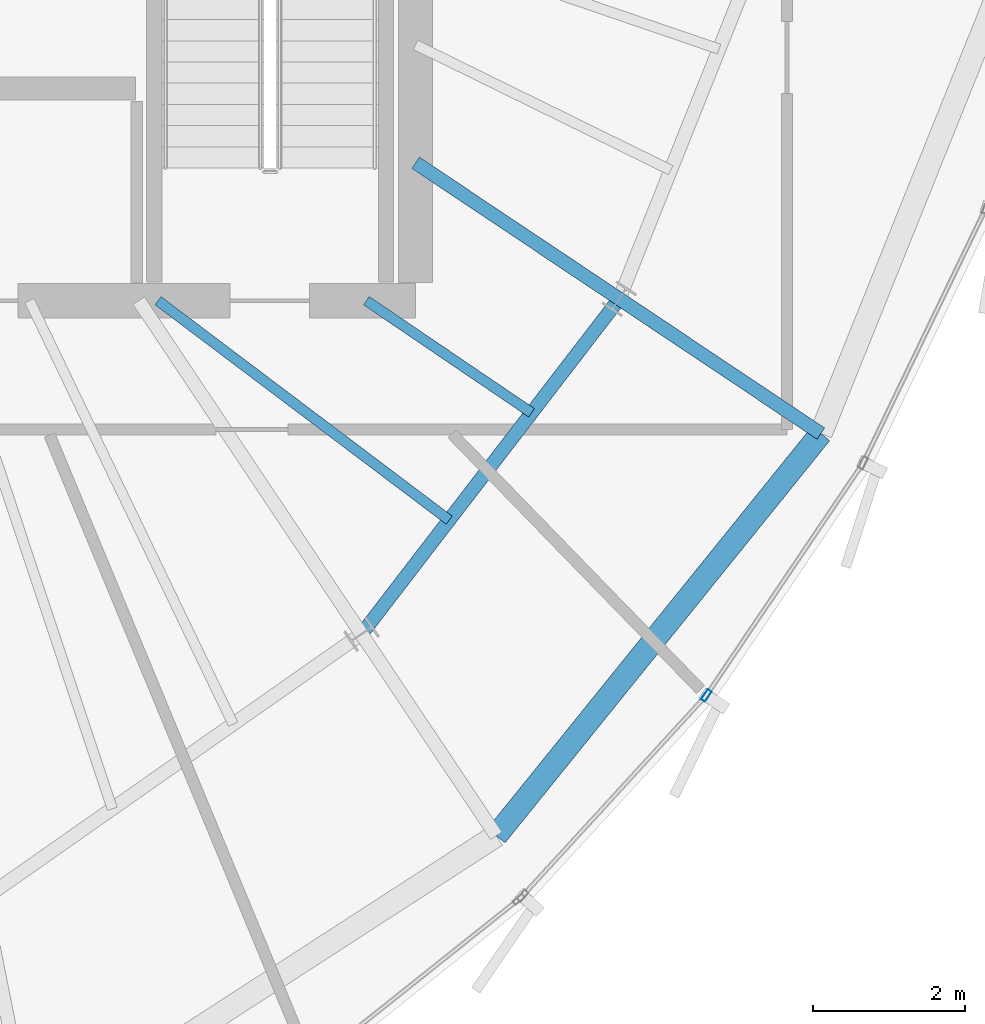
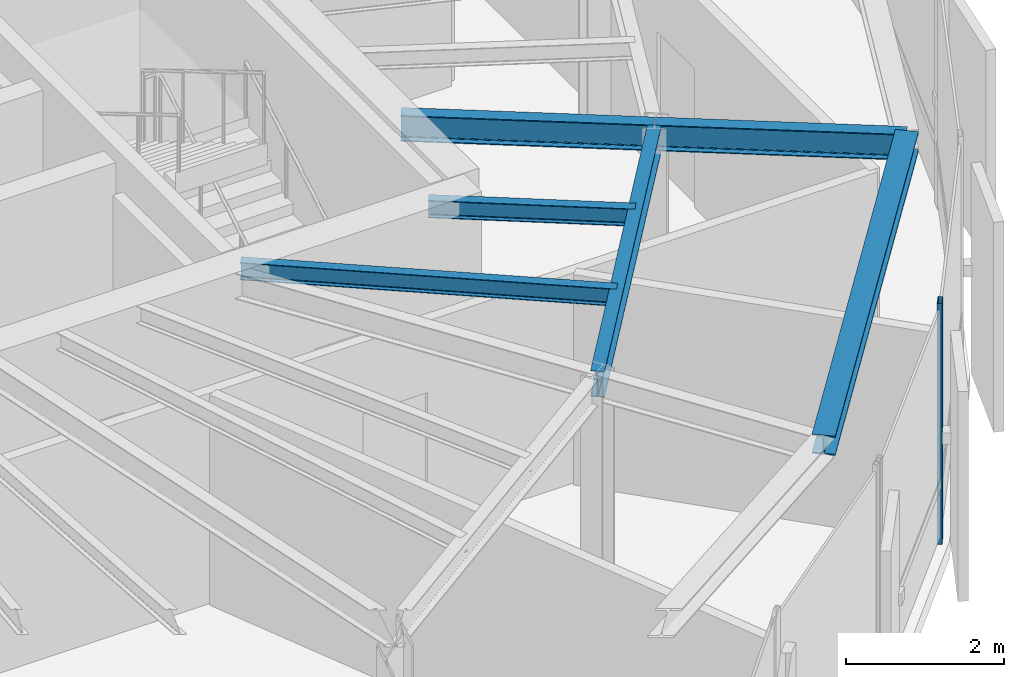
# One storey, part 9 of 27: 6 beams, 1 member, 1 element without a shape of its own.
"""IFC4 building model written with IfcOpenShell, lengths in metres."""

from ifc_helpers import new_model, si_unit, direction, frame, origin, origin_2d, place, context, subcontext, project, spatial, hollow_rectangle, i_section, extrude, source, transform, mapped, material, layer, layer_set, material_profile, profile_set, type_object, element, aggregate, save


model = new_model("IFC4")

# Units and contexts
model_context = context("Model", 3, precision=1e-05, world=origin(), true_north=direction((0.0, 1.0)))
body_context = subcontext(model_context, "Body", "Model", "MODEL_VIEW")
ifc_project = project(units=[si_unit("LENGTHUNIT", "METRE"), si_unit("AREAUNIT", "SQUARE_METRE"), si_unit("VOLUMEUNIT", "CUBIC_METRE"), si_unit("PLANEANGLEUNIT", "RADIAN"), si_unit("MASSUNIT", "GRAM", prefix="KILO"), si_unit("THERMODYNAMICTEMPERATUREUNIT", "KELVIN")], contexts=[model_context])

# Site, building, storey
site_placement = place(None, origin())
site = spatial("IfcSite", under=ifc_project, at=site_placement, CompositionType="ELEMENT")
building_placement = place(site_placement, origin())
building = spatial("IfcBuilding", under=site, at=building_placement, Name="Kethvar Cultural Tower", CompositionType="ELEMENT")
storey_placement = place(building_placement, frame((0.0, 0.0, 308.300048828125)))
storey = spatial("IfcBuildingStorey", under=building, at=storey_placement, Name="L82", CompositionType="ELEMENT", Elevation=308.300048828125)

# Beams
ifc_material_1 = material(Name="Steel S355J2", Category="steel")
ifc_material_profile_1 = material_profile(ifc_material_1, i_section(OverallWidth=0.135009765625, OverallDepth=0.27001953125, WebThickness=0.006591796875, FlangeThickness=0.01025390625, FilletRadius=0.014892578125, at=origin_2d()), Name="Steel S355J2 — IPE270")
ifc_profile_set_1 = profile_set([ifc_material_profile_1], Name="Steel S355J2 — IPE270")
beam_type_1 = type_object("IfcBeamType", Name="BM-J270", PredefinedType="JOIST", material=ifc_profile_set_1)
shared_shape_1 = source(origin(), body_context, "Body", "SweptSolid", [
    extrude(i_section(OverallWidth=0.135009765625, OverallDepth=0.27001953125, WebThickness=0.006591796875, FlangeThickness=0.01025390625, FilletRadius=0.014892578125, at=origin_2d()), origin(), (0.0, 0.0, 1.0), 4.810791015625),
])
beam_1_placement = place(storey_placement, frame((52.199951171875, 20.10009765625, 3.597900390625), z_axis=(0.798542152732, -0.601938892505, 0.0), x_axis=(0.601938892505, 0.798542152732, 0.0)))
element("IfcBeam", 1, at=beam_1_placement, inside=storey, type_object=beam_type_1, Name="L82 Composite Floor Joist J-14A", PredefinedType="JOIST", context=body_context, shape_type="MappedRepresentation", body=[
    mapped(shared_shape_1, transform((0.0, 0.0, 0.0), scale=1.0)),
])
shared_shape_2 = source(origin(), body_context, "Body", "SweptSolid", [
    extrude(i_section(OverallWidth=0.135009765625, OverallDepth=0.27001953125, WebThickness=0.006591796875, FlangeThickness=0.01025390625, FilletRadius=0.014892578125, at=origin_2d()), origin(), (0.0, 0.0, 1.0), 2.635009765625),
])
beam_2_placement = place(storey_placement, frame((54.949951171875, 20.10009765625, 3.597900390625), z_axis=(0.827446562598, -0.561544464887, 0.0), x_axis=(0.561544464887, 0.827446562598, 0.0)))
element("IfcBeam", 2, at=beam_2_placement, inside=storey, type_object=beam_type_1, Name="L82 Composite Floor Joist J-14B", PredefinedType="JOIST", context=body_context, shape_type="MappedRepresentation", body=[
    mapped(shared_shape_2, transform((0.0, 0.0, 0.0), scale=1.0)),
])
ifc_material_profile_2 = material_profile(ifc_material_1, i_section(OverallWidth=0.179931640625, OverallDepth=0.39990234375, WebThickness=0.008544921875, FlangeThickness=0.013427734375, FilletRadius=0.02099609375, at=origin_2d()), Name="Steel S355J2 — IPE400")
ifc_profile_set_2 = profile_set([ifc_material_profile_2], Name="Steel S355J2 — IPE400")
beam_type_2 = type_object("IfcBeamType", Name="BM-IPE400", PredefinedType="BEAM", material=ifc_profile_set_2)
shared_shape_3 = source(origin(), body_context, "Body", "SweptSolid", [
    extrude(i_section(OverallWidth=0.179931640625, OverallDepth=0.39990234375, WebThickness=0.008544921875, FlangeThickness=0.013427734375, FilletRadius=0.02099609375, at=origin_2d()), origin(), (0.0, 0.0, 1.0), 3.199951171875),
])
beam_3_placement = place(storey_placement, frame((58.287109375, 20.12451171875, 3.532958984375), z_axis=(0.831462943996, -0.555580212716, 0.0), x_axis=(0.555580212716, 0.831462943996, 0.0)))
element("IfcBeam", 3, at=beam_3_placement, inside=storey, type_object=beam_type_2, Name="L82 Perimeter Cantilever Beam RC-15", PredefinedType="BEAM", context=body_context, shape_type="MappedRepresentation", body=[
    mapped(shared_shape_3, transform((0.0, 0.0, 0.0), scale=1.0)),
])
shared_shape_4 = source(origin(), body_context, "Body", "SweptSolid", [
    extrude(i_section(OverallWidth=0.179931640625, OverallDepth=0.39990234375, WebThickness=0.008544921875, FlangeThickness=0.013427734375, FilletRadius=0.02099609375, at=origin_2d()), origin(), (0.0, 0.0, 1.0), 3.231689453125),
])
beam_4_placement = place(storey_placement, frame((55.60009765625, 21.919921875, 3.532958984375), z_axis=(0.831468708055, -0.55557158632, 0.0), x_axis=(0.55557158632, 0.831468708055, 0.0)))
element("IfcBeam", 4, at=beam_4_placement, inside=storey, type_object=beam_type_2, Name="L82 Primary Radial Beam RB-15", PredefinedType="BEAM", context=body_context, shape_type="MappedRepresentation", body=[
    mapped(shared_shape_4, transform((0.0, 0.0, 0.0), scale=1.0)),
])
shared_shape_5 = source(origin(), body_context, "Body", "SweptSolid", [
    extrude(i_section(OverallWidth=0.179931640625, OverallDepth=0.39990234375, WebThickness=0.008544921875, FlangeThickness=0.013427734375, FilletRadius=0.02099609375, at=origin_2d()), origin(), (0.0, 0.0, 1.0), 5.5810546875),
])
beam_5_placement = place(storey_placement, frame((54.885009765625, 15.7001953125, 3.532958984375), z_axis=(0.60957334008, 0.79272967843, 0.0), x_axis=(-0.79272967843, 0.60957334008, 0.0)))
element("IfcBeam", 5, at=beam_5_placement, inside=storey, type_object=beam_type_2, Name="L82 Column Ring Tie Beam CR-14", PredefinedType="BEAM", context=body_context, shape_type="MappedRepresentation", body=[
    mapped(shared_shape_5, transform((0.0, 0.0, 0.0), scale=1.0)),
])
ifc_material_profile_3 = material_profile(ifc_material_1, i_section(OverallWidth=0.300048828125, OverallDepth=0.300048828125, WebThickness=0.010986328125, FlangeThickness=0.01904296875, FilletRadius=0.027099609375, at=origin_2d()), Name="Steel S355J2 — HEB300")
ifc_profile_set_3 = profile_set([ifc_material_profile_3], Name="Steel S355J2 — HEB300")
beam_type_3 = type_object("IfcBeamType", Name="BM-SP300", PredefinedType="SPANDREL", material=ifc_profile_set_3)
shared_shape_6 = source(origin(), body_context, "Body", "SweptSolid", [
    extrude(i_section(OverallWidth=0.300048828125, OverallDepth=0.300048828125, WebThickness=0.010986328125, FlangeThickness=0.01904296875, FilletRadius=0.027099609375, at=origin_2d()), origin(), (0.0, 0.0, 1.0), 6.8212890625),
])
beam_6_placement = place(storey_placement, frame((56.66259765625, 13.039306640625, 3.5830078125), z_axis=(0.628197971595, 0.778053538315, 0.0), x_axis=(-0.778053538315, 0.628197971595, 0.0)))
element("IfcBeam", 6, at=beam_6_placement, inside=storey, type_object=beam_type_3, Name="L82 Perimeter Spandrel Beam SP-14", PredefinedType="SPANDREL", context=body_context, shape_type="MappedRepresentation", body=[
    mapped(shared_shape_6, transform((0.0, 0.0, 0.0), scale=1.0)),
])

# Curtain wall, member
ifc_material_2 = material(Name="Aluminium 6063-T6", Category="aluminium")
ifc_layer = layer(ifc_material_2, 0.179931640625, Name="Aluminium 6063-T6", Category="aluminium")
ifc_layer_set = layer_set([ifc_layer], Name="Aluminium 6063-T6 (180 mm)")
curtain_wall_type = type_object("IfcCurtainWallType", Name="CW-SYS-06-CROWN", PredefinedType="NOTDEFINED", material=ifc_layer_set)
curtain_wall_placement = place(storey_placement, origin())
curtain_wall = element("IfcCurtainWall", 7, at=curtain_wall_placement, inside=storey, type_object=curtain_wall_type, Name="L82 Curtain Wall Run 05", PredefinedType="NOTDEFINED")
ifc_material_profile_4 = material_profile(ifc_material_2, hollow_rectangle(XDim=0.06494140625, YDim=0.159912109375, WallThickness=0.0048828125, at=origin_2d()), Name="Aluminium 6063-T6 — RHS160x65x5")
ifc_profile_set_4 = profile_set([ifc_material_profile_4], Name="Aluminium 6063-T6 — RHS160x65x5")
member_type = type_object("IfcMemberType", Name="CW-SYS-06-CROWN-MUL", PredefinedType="MULLION", material=ifc_profile_set_4)
shared_shape_7 = source(origin(), body_context, "Body", "SweptSolid", [
    extrude(hollow_rectangle(XDim=0.06494140625, YDim=0.159912109375, WallThickness=0.0048828125, at=origin_2d()), origin(), (0.0, 0.0, 1.0), 3.73486328125),
])
member_placement = place(storey_placement, frame((59.435791015625, 14.88916015625, 0.0), z_axis=(0.0, 0.0, 1.0), x_axis=(-0.829144914606, 0.559033729378, 0.0)))
member = element("IfcMember", 8, at=member_placement, type_object=member_type, Name="CW-L82-R05 Mullion 2", PredefinedType="MULLION", context=body_context, shape_type="MappedRepresentation", body=[
    mapped(shared_shape_7, transform((0.0, 0.0, 0.0), scale=1.0)),
])
aggregate(curtain_wall, [member])

save(model, "model.ifc")
